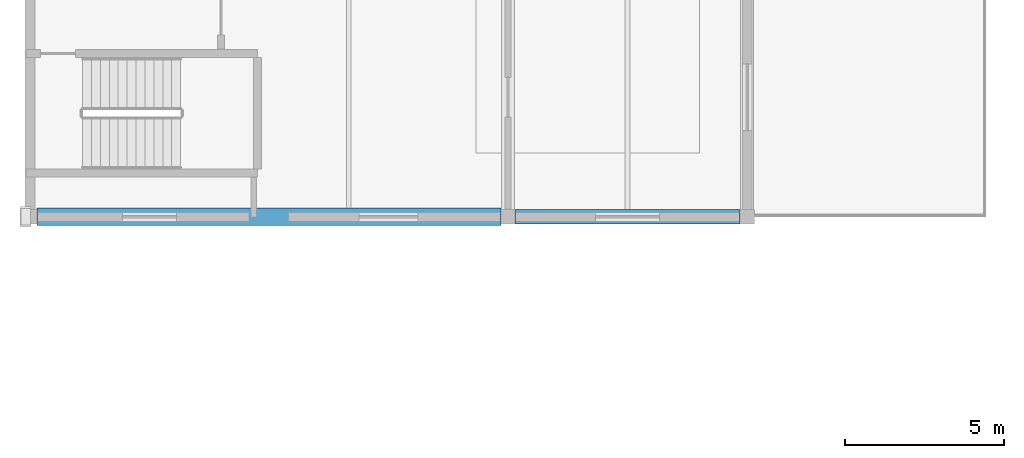
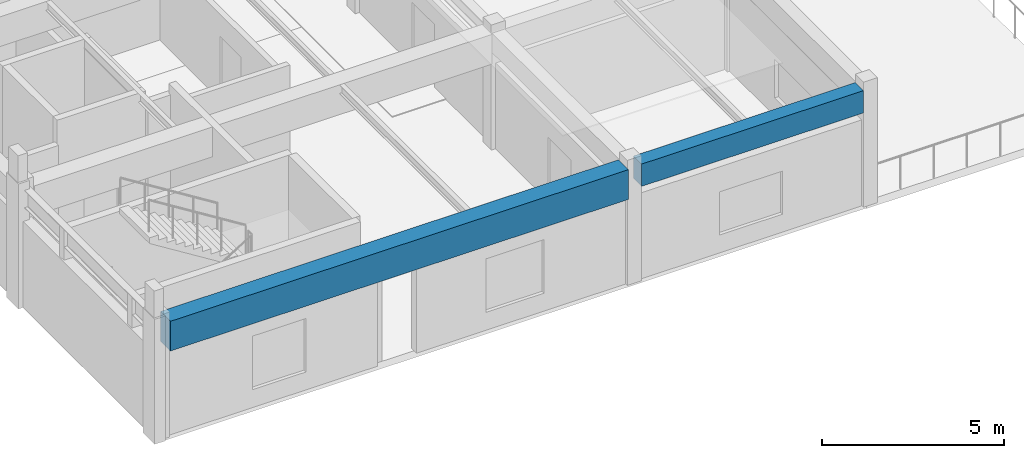
# One storey, part 6 of 51: 2 beams.
"""IFC4 building model written with IfcOpenShell, lengths in metres."""

from ifc_helpers import new_model, si_unit, direction, frame, origin, origin_2d, place, context, subcontext, project, spatial, rectangle, extrude, material, material_profile, profile_set, type_object, element, save


model = new_model("IFC4")

# Units and contexts
model_context = context("Model", 3, precision=1e-05, world=origin(), true_north=direction((0.0, 1.0)))
body_context = subcontext(model_context, "Body", "Model", "MODEL_VIEW")
ifc_project = project(units=[si_unit("LENGTHUNIT", "METRE"), si_unit("AREAUNIT", "SQUARE_METRE"), si_unit("VOLUMEUNIT", "CUBIC_METRE"), si_unit("PLANEANGLEUNIT", "RADIAN"), si_unit("MASSUNIT", "GRAM", prefix="KILO")], contexts=[model_context])

# Site, building, storey
site_placement = place(None, origin())
site = spatial("IfcSite", under=ifc_project, at=site_placement, CompositionType="ELEMENT")
building_placement = place(site_placement, origin())
building = spatial("IfcBuilding", under=site, at=building_placement, Name="Qasida Concert Hall", CompositionType="ELEMENT")
storey_placement = place(building_placement, frame((0.0, 0.0, 21.0)))
storey = spatial("IfcBuildingStorey", under=building, at=storey_placement, Name="L05", CompositionType="ELEMENT", Elevation=21.0)

# Beams
ifc_material = material(Name="Concrete C40/50", Category="concrete")
ifc_material_profile_1 = material_profile(ifc_material, rectangle(XDim=0.550048828125, YDim=1.0, at=origin_2d()), Name="RC 550x1000")
ifc_profile_set_1 = profile_set([ifc_material_profile_1], Name="Concrete C40/50")
beam_type_1 = type_object("IfcBeamType", Name="BM-G3", PredefinedType="USERDEFINED", material=ifc_profile_set_1)
beam_1_placement = place(storey_placement, frame((0.22509765625, 75.0, 3.419921875), z_axis=(1.0, 0.0, 0.0), x_axis=(0.0, 1.0, 0.0)))
element("IfcBeam", 1, at=beam_1_placement, inside=storey, type_object=beam_type_1, Name="Primary girder 2039", ObjectType="GIRDER", PredefinedType="USERDEFINED", context=body_context, shape_type="SweptSolid", body=[
    extrude(rectangle(XDim=0.550048828125, YDim=1.0, at=origin_2d()), origin(), (0.0, 0.0, 1.0), 14.5498046875),
])
ifc_material_profile_2 = material_profile(ifc_material, rectangle(XDim=0.449951171875, YDim=0.75, at=origin_2d()), Name="RC 450x750")
ifc_profile_set_2 = profile_set([ifc_material_profile_2], Name="Concrete C40/50")
beam_type_2 = type_object("IfcBeamType", Name="BM-SP4", PredefinedType="SPANDREL", material=ifc_profile_set_2)
beam_2_placement = place(storey_placement, frame((15.22509765625, 75.0, 3.544921875), z_axis=(1.0, 0.0, 0.0), x_axis=(0.0, 1.0, 0.0)))
element("IfcBeam", 2, at=beam_2_placement, inside=storey, type_object=beam_type_2, Name="Primary girder 2040", PredefinedType="SPANDREL", context=body_context, shape_type="SweptSolid", body=[
    extrude(rectangle(XDim=0.449951171875, YDim=0.75, at=origin_2d()), origin(), (0.0, 0.0, 1.0), 7.0498046875),
])

save(model, "model.ifc")
